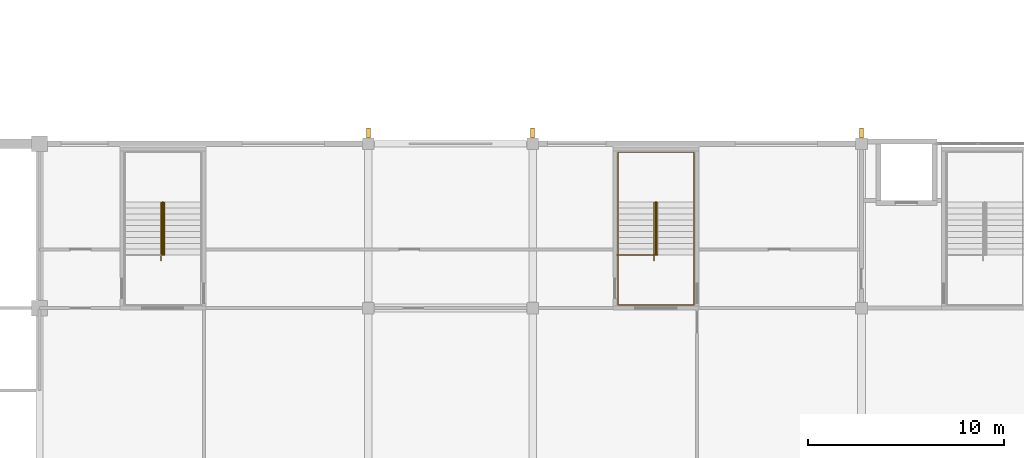
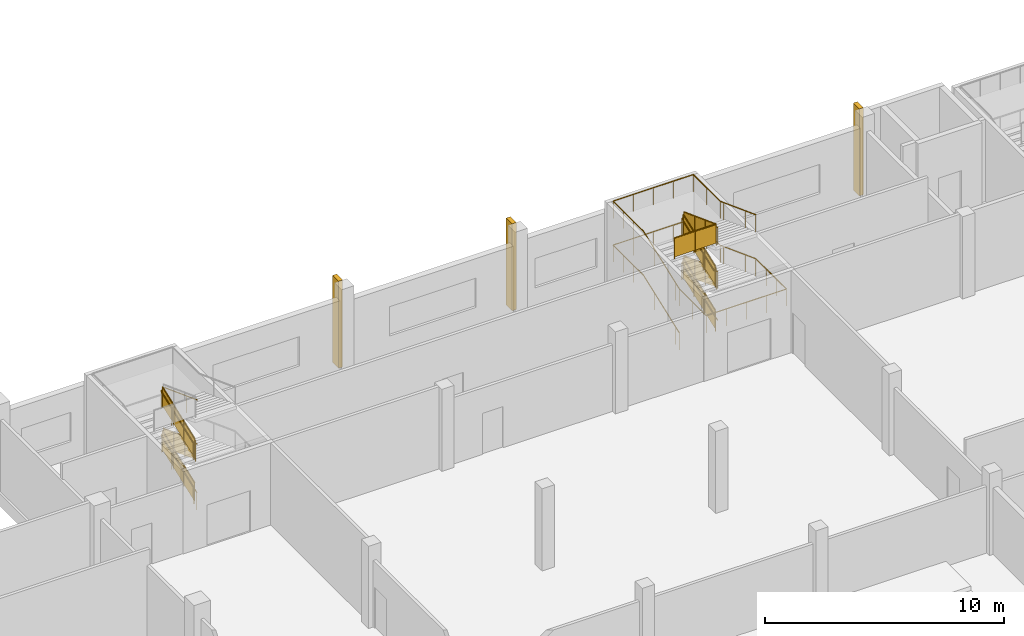
# One storey, part 49 of 56: 10 railings, 3 shading devices.
"""IFC4 building model written with IfcOpenShell, lengths in metres."""

import ifcopenshell
import ifcopenshell.guid

model = None  # the IFC model being written
_history = None  # IfcOwnerHistory: only IFC2X3 demands one
_inside = {}  # id of a spatial element -> (the spatial element, [elements in it])
_under = {}  # id of a project, library or spatial element -> (it, [spatial elements below it])
_declared = {}  # id of a project -> (the project, [libraries it declares])
_typed = {}  # id of a type object -> (the type object, [elements of that type])
_made_of = {}  # id of a material, layer set ... -> (it, [elements and type objects made of it])


def new_model(schema):
    """Start an empty IFC model of exactly this schema.

    Asked for "IFC4X3", IfcOpenShell would pick the latest addendum, in which some entities
    have other attributes; the version numbers below select the first issue.
    IFC2X3 requires an IfcOwnerHistory on every rooted entity: one is made here for all.
    """
    global model, _history
    if schema == "IFC4X3":
        model = ifcopenshell.file(schema_version=(4, 3, 0, 0))
    else:
        model = ifcopenshell.file(schema=schema)
    _inside.clear()
    _under.clear()
    _declared.clear()
    _typed.clear()
    _made_of.clear()
    _history = None
    if model.schema == "IFC2X3":
        org = make("IfcOrganization", Name="unknown")
        user = make(
            "IfcPersonAndOrganization",
            ThePerson=make("IfcPerson", FamilyName="unknown"),
            TheOrganization=org,
        )
        app = make(
            "IfcApplication",
            ApplicationDeveloper=org,
            Version="unknown",
            ApplicationFullName="unknown",
            ApplicationIdentifier="unknown",
        )
        _history = make(
            "IfcOwnerHistory",
            OwningUser=user,
            OwningApplication=app,
            ChangeAction="ADDED",
            CreationDate=0,
        )
    return model


def make(cls, **values):
    """One entity of the class cls with the attributes given. An attribute that is None is left unset."""
    return model.create_entity(
        cls, **{name: value for name, value in values.items() if value is not None}
    )


def rooted(cls, **values):
    """An entity with a GlobalId (a new one), such as an element, a storey or a relation."""
    return make(cls, GlobalId=ifcopenshell.guid.new(), OwnerHistory=_history, **values)


def si_unit(unit_type, name, prefix=None):
    """IfcSIUnit, for example si_unit("LENGTHUNIT", "METRE", prefix="MILLI")."""
    return make("IfcSIUnit", UnitType=unit_type, Prefix=prefix, Name=name)


def assignment(units):
    """IfcUnitAssignment: the units of a project."""
    return None if units is None else make("IfcUnitAssignment", Units=units)


def point(xyz):
    """IfcCartesianPoint."""
    return None if xyz is None else make("IfcCartesianPoint", Coordinates=xyz)


def direction(xyz):
    """IfcDirection."""
    return None if xyz is None else make("IfcDirection", DirectionRatios=xyz)


def frame(location, z_axis=None, x_axis=None):
    """IfcAxis2Placement3D, a coordinate frame: its origin and axes. An axis left out is left unset."""
    return make(
        "IfcAxis2Placement3D",
        Location=point(location),
        Axis=direction(z_axis),
        RefDirection=direction(x_axis),
    )


def frame_2d(location, x_axis=None):
    """IfcAxis2Placement2D, a coordinate frame in the plane: its origin and x axis."""
    return make(
        "IfcAxis2Placement2D", Location=point(location), RefDirection=direction(x_axis)
    )


def origin():
    """The frame at (0, 0, 0) with its axes left unset."""
    return frame((0.0, 0.0, 0.0))


def origin_2d():
    """The frame at (0, 0) in the plane with its x axis left unset."""
    return frame_2d((0.0, 0.0))


def place(relative_to, where):
    """IfcLocalPlacement: puts the frame where relative to a parent placement (None: the world)."""
    return make(
        "IfcLocalPlacement", PlacementRelTo=relative_to, RelativePlacement=where
    )


def context(
    kind, dimensions, precision=None, world=None, true_north=None, identifier=None
):
    """IfcGeometricRepresentationContext, for example the 3D "Model" context."""
    return make(
        "IfcGeometricRepresentationContext",
        ContextIdentifier=identifier,
        ContextType=kind,
        CoordinateSpaceDimension=dimensions,
        Precision=precision,
        WorldCoordinateSystem=world,
        TrueNorth=true_north,
    )


def subcontext(parent, identifier, kind, view, scale=None):
    """IfcGeometricRepresentationSubContext, for example "Body" below "Model"."""
    return make(
        "IfcGeometricRepresentationSubContext",
        ContextIdentifier=identifier,
        ContextType=kind,
        ParentContext=parent,
        TargetScale=scale,
        TargetView=view,
    )


def project(units=None, contexts=None):
    """IfcProject with its units and contexts."""
    return rooted(
        "IfcProject",
        Name="project",
        RepresentationContexts=contexts,
        UnitsInContext=assignment(units),
    )


def spatial(cls, under=None, at=None, **own):
    """A site, building, storey or space (cls), placed at a placement, below another one or the project."""
    s = rooted(cls, ObjectPlacement=at, **own)
    if under is not None:
        _under.setdefault(under.id(), (under, []))[1].append(s)
    return s


def polyline(points):
    """IfcPolyline through the points."""
    return make("IfcPolyline", Points=[point(p) for p in points])


def profile(cls, at=None, kind="AREA", **sizes):
    """A parametric profile (cls). Its sizes go by their IFC names, for example OverallWidth=200.0."""
    return make(cls, ProfileType=kind, Position=at, **sizes)


def rectangle(**sizes):
    """IfcRectangleProfileDef."""
    return profile("IfcRectangleProfileDef", **sizes)


def circle(**sizes):
    """IfcCircleProfileDef."""
    return profile("IfcCircleProfileDef", **sizes)


def outline(outer, holes=None, kind="AREA"):
    """IfcArbitraryClosedProfileDef: a profile drawn as a closed curve; with holes, ...WithVoids."""
    if holes is None:
        return make("IfcArbitraryClosedProfileDef", ProfileType=kind, OuterCurve=outer)
    return make(
        "IfcArbitraryProfileDefWithVoids",
        ProfileType=kind,
        OuterCurve=outer,
        InnerCurves=holes,
    )


def extrude(swept, where, along, depth):
    """IfcExtrudedAreaSolid: the profile swept, set in the frame where, extruded along a direction by depth."""
    return make(
        "IfcExtrudedAreaSolid",
        SweptArea=swept,
        Position=where,
        ExtrudedDirection=direction(along),
        Depth=depth,
    )


def shape(context_of_items, identifier, shape_type, items):
    """IfcShapeRepresentation: the items that make up one representation, for example the "Body"."""
    return make(
        "IfcShapeRepresentation",
        ContextOfItems=context_of_items,
        RepresentationIdentifier=identifier,
        RepresentationType=shape_type,
        Items=items,
    )


def material(Name=None, Category=None):
    """IfcMaterial."""
    return make("IfcMaterial", Name=Name, Category=Category)


def material_profile(
    of_material, cross_section, Name=None, Category=None, Priority=None
):
    """IfcMaterialProfile: a cross section and its material."""
    return make(
        "IfcMaterialProfile",
        Name=Name,
        Material=of_material,
        Profile=cross_section,
        Priority=Priority,
        Category=Category,
    )


def profile_set(profiles, Name=None, composite=None):
    """IfcMaterialProfileSet."""
    return make(
        "IfcMaterialProfileSet",
        Name=Name,
        MaterialProfiles=profiles,
        CompositeProfile=composite,
    )


def made_of(thing, what):
    """Note that an element or type object is made of a material, layer set ...; save() writes the relation."""
    if what is not None:
        _made_of.setdefault(what.id(), (what, []))[1].append(thing)
    return thing


def type_object(cls, material=None, **own):
    """A type object (cls), such as IfcWallType, which elements share."""
    return made_of(rooted(cls, **own), material)


def element(
    cls,
    number,
    at=None,
    inside=None,
    cuts=None,
    type_object=None,
    material=None,
    context=None,
    identifier="Body",
    shape_type=None,
    held_by="IfcProductDefinitionShape",
    body=None,
    shapes=None,
    **own,
):
    """One element of the class cls, such as IfcWall. Its Tag is "e" and its number.

    at: its placement. inside: the storey or other place that contains it. cuts: it is an
    opening in that element (IfcRelVoidsElement). A single representation is given by context,
    identifier, shape_type and body (its items); several are given by shapes. held_by: the class
    of the entity that holds the representations. save() writes the other relations.
    """
    e = rooted(cls, Tag="e%d" % number, ObjectPlacement=at, **own)
    if body is not None:
        shapes = [shape(context, identifier, shape_type, body)]
    if shapes is not None:
        e.Representation = make(held_by, Representations=shapes)
    if inside is not None:
        _inside.setdefault(inside.id(), (inside, []))[1].append(e)
    if cuts is not None:
        rooted(
            "IfcRelVoidsElement", RelatingBuildingElement=cuts, RelatedOpeningElement=e
        )
    if type_object is not None:
        _typed.setdefault(type_object.id(), (type_object, []))[1].append(e)
    return made_of(e, material)


def aggregate(whole, parts):
    """IfcRelAggregates: a whole, such as a stair, and the parts it consists of."""
    return rooted("IfcRelAggregates", RelatingObject=whole, RelatedObjects=parts)


def save(model, path):
    """Write the relations noted so far, then the file.

    IfcRelAggregates (storeys below a building ...), IfcRelContainedInSpatialStructure (elements
    in a storey), IfcRelDefinesByType, IfcRelAssociatesMaterial and IfcRelDeclares: one each for
    every whole, place, type object, material and project.
    """
    for whole, parts in _under.values():
        aggregate(whole, parts)
    for where, things in _inside.values():
        rooted(
            "IfcRelContainedInSpatialStructure",
            RelatedElements=things,
            RelatingStructure=where,
        )
    for kind, things in _typed.values():
        rooted("IfcRelDefinesByType", RelatedObjects=things, RelatingType=kind)
    for what, things in _made_of.values():
        rooted("IfcRelAssociatesMaterial", RelatedObjects=things, RelatingMaterial=what)
    for by, libraries in _declared.values():
        rooted("IfcRelDeclares", RelatingContext=by, RelatedDefinitions=libraries)
    model.write(path)


model = new_model("IFC4")

# Units and contexts
model_context = context("Model", 3, precision=1e-05, world=origin(), true_north=direction((0.0, 1.0)))
body_context = subcontext(model_context, "Body", "Model", "MODEL_VIEW")
ifc_project = project(units=[si_unit("LENGTHUNIT", "METRE"), si_unit("AREAUNIT", "SQUARE_METRE"), si_unit("VOLUMEUNIT", "CUBIC_METRE"), si_unit("PLANEANGLEUNIT", "RADIAN"), si_unit("MASSUNIT", "GRAM", prefix="KILO")], contexts=[model_context])

# Site, building, storey
site_placement = place(None, origin())
site = spatial("IfcSite", under=ifc_project, at=site_placement, CompositionType="ELEMENT")
building_placement = place(site_placement, origin())
building = spatial("IfcBuilding", under=site, at=building_placement, Name="Rulbaag Community and Learning Centre", CompositionType="ELEMENT")
storey_placement = place(building_placement, frame((0.0, 0.0, 9.89990234375)))
storey = spatial("IfcBuildingStorey", under=building, at=storey_placement, Name="L02", CompositionType="ELEMENT", Elevation=9.89990234375)

# Shading devices
ifc_material_1 = material(Name="Concrete M40", Category="concrete")
ifc_material_profile = material_profile(ifc_material_1, rectangle(XDim=0.199951171875, YDim=0.5, at=origin_2d()), Name="PC 200x500")
ifc_profile_set = profile_set([ifc_material_profile], Name="Concrete M40")
shading_device_type = type_object("IfcShadingDeviceType", Name="FIN-D", PredefinedType="JALOUSIE", material=ifc_profile_set)
for number, where, z_axis, x_axis, name in (
    (1, (100.800048828125, 50.949951171875, -0.25), (0.0, 0.0, 1.0), (1.0, 0.0, 0.0), "Precast fin"),
    (2, (109.199951171875, 50.949951171875, -0.25), (0.0, 0.0, 1.0), (1.0, 0.0, 0.0), "Precast fin"),
    (3, (126.0, 50.949951171875, -0.25), (0.0, 0.0, 1.0), (1.0, 0.0, 0.0), "Precast fin"),
):
    element("IfcShadingDevice", number, at=place(storey_placement, frame(where, z_axis=z_axis, x_axis=x_axis)), inside=storey, type_object=shading_device_type, Name=name, PredefinedType="JALOUSIE", context=body_context, shape_type="SweptSolid", body=[
        extrude(rectangle(XDim=0.199951171875, YDim=0.5, at=origin_2d()), origin(), (0.0, 0.0, 1.0), 4.4501953125),
    ])

# Railings
ifc_material_2 = material(Name="Galvanised mild steel", Category="steel")
railing_type_1 = type_object("IfcRailingType", Name="GR-1100 GUARD 1100", PredefinedType="GUARDRAIL", material=ifc_material_2)
railing_1_placement = place(storey_placement, frame((90.280029296875, 44.71240234375, 0.112548828125)))
element("IfcRailing", 4, at=railing_1_placement, inside=storey, type_object=railing_type_1, Name="Guard SH6 L02 G", PredefinedType="GUARDRAIL", context=body_context, shape_type="SweptSolid", body=[
    extrude(circle(Radius=0.02490234375, at=origin_2d()), frame((0.0, 0.0, 1.0751953125), z_axis=(0.0, 0.936343093598, 0.351086329941), x_axis=(-1.0, 0.0, 0.0)), (0.0, 0.0, 1.0), 2.8837890625),
    extrude(circle(Radius=0.02001953125, at=origin_2d()), origin(), (0.0, 0.0, 1.0), 1.050048828125),
    extrude(circle(Radius=0.02001953125, at=origin_2d()), frame((0.0, 0.900146484375, 0.33740234375)), (0.0, 0.0, 1.0), 1.050048828125),
    extrude(circle(Radius=0.02001953125, at=origin_2d()), frame((0.0, 1.800048828125, 0.675048828125)), (0.0, 0.0, 1.0), 1.050048828125),
    extrude(circle(Radius=0.02001953125, at=origin_2d()), frame((0.0, 2.7001953125, 1.012451171875)), (0.0, 0.0, 1.0), 1.050048828125),
    extrude(outline(polyline([(0.0, 0.0), (2.7001953125, 1.012451171875), (2.7001953125, 1.96240234375), (0.0, 0.949951171875), (0.0, 0.0)])), frame((-0.0048828125, 0.0, 0.10009765625), z_axis=(1.0, 0.0, 0.0), x_axis=(0.0, 1.0, 0.0)), (0.0, 0.0, 1.0), 0.010009765625),
])
railing_2_placement = place(storey_placement, frame((90.320068359375, 47.41259765625, 1.237548828125)))
element("IfcRailing", 5, at=railing_2_placement, inside=storey, type_object=railing_type_1, Name="Guard SH6 L02 G2", PredefinedType="GUARDRAIL", context=body_context, shape_type="SweptSolid", body=[
    extrude(circle(Radius=0.02490234375, at=origin_2d()), frame((0.0, 0.0, 1.0751953125), z_axis=(0.0, -0.936343093598, 0.351086329941), x_axis=(1.0, 0.0, 0.0)), (0.0, 0.0, 1.0), 2.8837890625),
    extrude(circle(Radius=0.02001953125, at=origin_2d()), origin(), (0.0, 0.0, 1.0), 1.050048828125),
    extrude(circle(Radius=0.02001953125, at=origin_2d()), frame((0.0, -0.900146484375, 0.33740234375)), (0.0, 0.0, 1.0), 1.050048828125),
    extrude(circle(Radius=0.02001953125, at=origin_2d()), frame((0.0, -1.800048828125, 0.675048828125)), (0.0, 0.0, 1.0), 1.050048828125),
    extrude(circle(Radius=0.02001953125, at=origin_2d()), frame((0.0, -2.7001953125, 1.012451171875)), (0.0, 0.0, 1.0), 1.050048828125),
    extrude(outline(polyline([(0.0, 0.0), (2.7001953125, 1.012451171875), (2.7001953125, 1.96240234375), (0.0, 0.949951171875), (0.0, 0.0)])), frame((0.0048828125, 0.0, 0.10009765625), z_axis=(-1.0, 0.0, 0.0), x_axis=(0.0, -1.0, 0.0)), (0.0, 0.0, 1.0), 0.010009765625),
])
for number, where, name in (
    (6, (90.280029296875, 44.71240234375, 2.362548828125), "Guard SH6 L02 G3"),
    (7, (115.47998046875, 44.71240234375, 0.112548828125), "Guard SH7 L02 G"),
):
    element("IfcRailing", number, at=place(storey_placement, frame(where)), inside=storey, type_object=railing_type_1, Name=name, PredefinedType="GUARDRAIL", context=body_context, shape_type="SweptSolid", body=[
        extrude(circle(Radius=0.02490234375, at=origin_2d()), frame((0.0, 0.0, 1.0751953125), z_axis=(0.0, 0.936343093598, 0.351086329941), x_axis=(-1.0, 0.0, 0.0)), (0.0, 0.0, 1.0), 2.8837890625),
        extrude(circle(Radius=0.02001953125, at=origin_2d()), origin(), (0.0, 0.0, 1.0), 1.050048828125),
        extrude(circle(Radius=0.02001953125, at=origin_2d()), frame((0.0, 0.900146484375, 0.33740234375)), (0.0, 0.0, 1.0), 1.050048828125),
        extrude(circle(Radius=0.02001953125, at=origin_2d()), frame((0.0, 1.800048828125, 0.675048828125)), (0.0, 0.0, 1.0), 1.050048828125),
        extrude(circle(Radius=0.02001953125, at=origin_2d()), frame((0.0, 2.7001953125, 1.012451171875)), (0.0, 0.0, 1.0), 1.050048828125),
        extrude(outline(polyline([(0.0, 0.0), (2.7001953125, 1.012451171875), (2.7001953125, 1.96240234375), (0.0, 0.949951171875), (0.0, 0.0)])), frame((-0.0048828125, 0.0, 0.10009765625), z_axis=(1.0, 0.0, 0.0), x_axis=(0.0, 1.0, 0.0)), (0.0, 0.0, 1.0), 0.010009765625),
    ])
railing_3_placement = place(storey_placement, frame((115.52001953125, 47.41259765625, 1.237548828125)))
element("IfcRailing", 8, at=railing_3_placement, inside=storey, type_object=railing_type_1, Name="Guard SH7 L02 G2", PredefinedType="GUARDRAIL", context=body_context, shape_type="SweptSolid", body=[
    extrude(circle(Radius=0.02490234375, at=origin_2d()), frame((0.0, 0.0, 1.0751953125), z_axis=(0.0, -0.936343093598, 0.351086329941), x_axis=(1.0, 0.0, 0.0)), (0.0, 0.0, 1.0), 2.8837890625),
    extrude(circle(Radius=0.02001953125, at=origin_2d()), origin(), (0.0, 0.0, 1.0), 1.050048828125),
    extrude(circle(Radius=0.02001953125, at=origin_2d()), frame((0.0, -0.900146484375, 0.33740234375)), (0.0, 0.0, 1.0), 1.050048828125),
    extrude(circle(Radius=0.02001953125, at=origin_2d()), frame((0.0, -1.800048828125, 0.675048828125)), (0.0, 0.0, 1.0), 1.050048828125),
    extrude(circle(Radius=0.02001953125, at=origin_2d()), frame((0.0, -2.7001953125, 1.012451171875)), (0.0, 0.0, 1.0), 1.050048828125),
    extrude(outline(polyline([(0.0, 0.0), (2.7001953125, 1.012451171875), (2.7001953125, 1.96240234375), (0.0, 0.949951171875), (0.0, 0.0)])), frame((0.0048828125, 0.0, 0.10009765625), z_axis=(-1.0, 0.0, 0.0), x_axis=(0.0, -1.0, 0.0)), (0.0, 0.0, 1.0), 0.010009765625),
])
railing_4_placement = place(storey_placement, frame((115.47998046875, 44.71240234375, 2.362548828125)))
element("IfcRailing", 9, at=railing_4_placement, inside=storey, type_object=railing_type_1, Name="Guard SH7 L02 G3", PredefinedType="GUARDRAIL", context=body_context, shape_type="SweptSolid", body=[
    extrude(circle(Radius=0.02490234375, at=origin_2d()), frame((0.0, 0.0, 1.0751953125), z_axis=(0.0, 0.936343093598, 0.351086329941), x_axis=(-1.0, 0.0, 0.0)), (0.0, 0.0, 1.0), 2.8837890625),
    extrude(circle(Radius=0.02001953125, at=origin_2d()), origin(), (0.0, 0.0, 1.0), 1.050048828125),
    extrude(circle(Radius=0.02001953125, at=origin_2d()), frame((0.0, 0.900146484375, 0.33740234375)), (0.0, 0.0, 1.0), 1.050048828125),
    extrude(circle(Radius=0.02001953125, at=origin_2d()), frame((0.0, 1.800048828125, 0.675048828125)), (0.0, 0.0, 1.0), 1.050048828125),
    extrude(circle(Radius=0.02001953125, at=origin_2d()), frame((0.0, 2.7001953125, 1.012451171875)), (0.0, 0.0, 1.0), 1.050048828125),
    extrude(outline(polyline([(0.0, 0.0), (2.7001953125, 1.012451171875), (2.7001953125, 1.96240234375), (0.0, 0.949951171875), (0.0, 0.0)])), frame((-0.0048828125, 0.0, 0.10009765625), z_axis=(1.0, 0.0, 0.0), x_axis=(0.0, 1.0, 0.0)), (0.0, 0.0, 1.0), 0.010009765625),
])
railing_5_placement = place(storey_placement, frame((115.52001953125, 47.41259765625, 3.487548828125)))
element("IfcRailing", 10, at=railing_5_placement, inside=storey, type_object=railing_type_1, Name="Guard SH7 L02 G4", PredefinedType="GUARDRAIL", context=body_context, shape_type="SweptSolid", body=[
    extrude(circle(Radius=0.02490234375, at=origin_2d()), frame((0.0, 0.0, 1.0751953125), z_axis=(0.0, -0.936343093598, 0.351086329941), x_axis=(1.0, 0.0, 0.0)), (0.0, 0.0, 1.0), 2.8837890625),
    extrude(circle(Radius=0.02490234375, at=origin_2d()), frame((0.0, -2.7001953125, 2.08740234375), z_axis=(-1.0, 0.0, 0.0), x_axis=(0.0, -1.0, 0.0)), (0.0, 0.0, 1.0), 2.02001953125),
    extrude(circle(Radius=0.02001953125, at=origin_2d()), origin(), (0.0, 0.0, 1.0), 1.050048828125),
    extrude(circle(Radius=0.02001953125, at=origin_2d()), frame((0.0, -0.900146484375, 0.33740234375)), (0.0, 0.0, 1.0), 1.050048828125),
    extrude(circle(Radius=0.02001953125, at=origin_2d()), frame((0.0, -1.800048828125, 0.675048828125)), (0.0, 0.0, 1.0), 1.050048828125),
    extrude(circle(Radius=0.02001953125, at=origin_2d()), frame((0.0, -2.7001953125, 1.012451171875)), (0.0, 0.0, 1.0), 1.050048828125),
    extrude(circle(Radius=0.02001953125, at=origin_2d()), frame((-1.010009765625, -2.7001953125, 1.012451171875)), (0.0, 0.0, 1.0), 1.050048828125),
    extrude(circle(Radius=0.02001953125, at=origin_2d()), frame((-2.02001953125, -2.7001953125, 1.012451171875)), (0.0, 0.0, 1.0), 1.050048828125),
    extrude(outline(polyline([(0.0, 0.0), (2.7001953125, 1.012451171875), (2.7001953125, 1.96240234375), (0.0, 0.949951171875), (0.0, 0.0)])), frame((0.0048828125, 0.0, 0.10009765625), z_axis=(-1.0, 0.0, 0.0), x_axis=(0.0, -1.0, 0.0)), (0.0, 0.0, 1.0), 0.010009765625),
    extrude(outline(polyline([(0.0, 0.0), (2.02001953125, 0.0), (2.02001953125, 0.949951171875), (0.0, 0.949951171875), (0.0, 0.0)])), frame((0.0, -2.705078125, 1.112548828125), z_axis=(0.0, 1.0, 0.0), x_axis=(-1.0, 0.0, 0.0)), (0.0, 0.0, 1.0), 0.010009765625),
])
ifc_material_3 = material(Name="Stainless steel grade 316", Category="steel")
railing_type_2 = type_object("IfcRailingType", Name="HR-900 HANDRAIL 900", PredefinedType="HANDRAIL", material=ifc_material_3)
railing_6_placement = place(storey_placement, frame((90.2099609375, 44.41259765625, 0.0)))
element("IfcRailing", 11, at=railing_6_placement, inside=storey, type_object=railing_type_2, Name="Handrail SH6 L02 I", PredefinedType="HANDRAIL", context=body_context, shape_type="SweptSolid", body=[
    extrude(circle(Radius=0.024169921875, at=origin_2d()), frame((0.0, 0.0, 0.875732421875), z_axis=(0.0, 0.936203795034, 0.351457613608), x_axis=(-1.0, 0.0, 0.0)), (0.0, 0.0, 1.0), 0.3203125),
    extrude(circle(Radius=0.024169921875, at=origin_2d()), frame((0.0, 0.2998046875, 0.98828125), z_axis=(0.0, 0.936343093598, 0.351086329941), x_axis=(-1.0, 0.0, 0.0)), (0.0, 0.0, 1.0), 2.8837890625),
    extrude(circle(Radius=0.024169921875, at=origin_2d()), frame((0.0, 3.0, 2.000732421875), z_axis=(0.847804368873, 0.0, 0.530309109973), x_axis=(0.0, 1.0, 0.0)), (0.0, 0.0, 1.0), 0.212158203125),
    extrude(circle(Radius=0.024169921875, at=origin_2d()), frame((0.179931640625, 3.0, 2.11328125), z_axis=(0.0, -0.936343093598, 0.351086329941), x_axis=(1.0, 0.0, 0.0)), (0.0, 0.0, 1.0), 2.8837890625),
    extrude(circle(Radius=0.024169921875, at=origin_2d()), frame((0.179931640625, 0.2998046875, 3.125732421875), z_axis=(-0.847804368873, 0.0, 0.530309109973), x_axis=(0.0, -1.0, 0.0)), (0.0, 0.0, 1.0), 0.212158203125),
    extrude(circle(Radius=0.024169921875, at=origin_2d()), frame((0.0, 0.2998046875, 3.23828125), z_axis=(0.0, 0.936343093598, 0.351086329941), x_axis=(-1.0, 0.0, 0.0)), (0.0, 0.0, 1.0), 2.8837890625),
    extrude(circle(Radius=0.024169921875, at=origin_2d()), frame((0.0, 3.0, 4.250732421875), z_axis=(0.847804368873, 0.0, 0.530309109973), x_axis=(0.0, 1.0, 0.0)), (0.0, 0.0, 1.0), 0.212158203125),
    extrude(circle(Radius=0.024169921875, at=origin_2d()), frame((0.179931640625, 3.0, 4.36328125), z_axis=(0.0, -0.936343093598, 0.351086329941), x_axis=(1.0, 0.0, 0.0)), (0.0, 0.0, 1.0), 2.8837890625),
    extrude(circle(Radius=0.008056640625, at=origin_2d()), origin(), (0.0, 0.0, 1.0), 0.8515625),
    extrude(circle(Radius=0.008056640625, at=origin_2d()), frame((0.0, 0.2998046875, 0.112548828125)), (0.0, 0.0, 1.0), 0.8515625),
    extrude(circle(Radius=0.008056640625, at=origin_2d()), frame((0.0, 1.199951171875, 0.449951171875)), (0.0, 0.0, 1.0), 0.8515625),
    extrude(circle(Radius=0.008056640625, at=origin_2d()), frame((0.0, 2.099853515625, 0.78759765625)), (0.0, 0.0, 1.0), 0.8515625),
    extrude(circle(Radius=0.008056640625, at=origin_2d()), frame((0.0, 3.0, 1.125)), (0.0, 0.0, 1.0), 0.8515625),
    extrude(circle(Radius=0.008056640625, at=origin_2d()), frame((0.179931640625, 3.0, 1.237548828125)), (0.0, 0.0, 1.0), 0.8515625),
    extrude(circle(Radius=0.008056640625, at=origin_2d()), frame((0.179931640625, 2.099853515625, 1.574951171875)), (0.0, 0.0, 1.0), 0.8515625),
    extrude(circle(Radius=0.008056640625, at=origin_2d()), frame((0.179931640625, 1.199951171875, 1.91259765625)), (0.0, 0.0, 1.0), 0.8515625),
    extrude(circle(Radius=0.008056640625, at=origin_2d()), frame((0.179931640625, 0.2998046875, 2.25)), (0.0, 0.0, 1.0), 0.8515625),
    extrude(circle(Radius=0.008056640625, at=origin_2d()), frame((0.0, 0.2998046875, 2.362548828125)), (0.0, 0.0, 1.0), 0.8515625),
    extrude(circle(Radius=0.008056640625, at=origin_2d()), frame((0.0, 1.199951171875, 2.699951171875)), (0.0, 0.0, 1.0), 0.8515625),
    extrude(circle(Radius=0.008056640625, at=origin_2d()), frame((0.0, 2.099853515625, 3.03759765625)), (0.0, 0.0, 1.0), 0.8515625),
    extrude(circle(Radius=0.008056640625, at=origin_2d()), frame((0.0, 3.0, 3.375)), (0.0, 0.0, 1.0), 0.8515625),
    extrude(circle(Radius=0.008056640625, at=origin_2d()), frame((0.179931640625, 3.0, 3.487548828125)), (0.0, 0.0, 1.0), 0.8515625),
    extrude(circle(Radius=0.008056640625, at=origin_2d()), frame((0.179931640625, 2.099853515625, 3.824951171875)), (0.0, 0.0, 1.0), 0.8515625),
    extrude(circle(Radius=0.008056640625, at=origin_2d()), frame((0.179931640625, 1.199951171875, 4.16259765625)), (0.0, 0.0, 1.0), 0.8515625),
    extrude(circle(Radius=0.008056640625, at=origin_2d()), frame((0.179931640625, 0.2998046875, 4.5)), (0.0, 0.0, 1.0), 0.8515625),
])
railing_7_placement = place(storey_placement, frame((113.56005859375, 44.41259765625, 0.0)))
element("IfcRailing", 12, at=railing_7_placement, inside=storey, type_object=railing_type_2, Name="Handrail SH7 L02 O", PredefinedType="HANDRAIL", context=body_context, shape_type="SweptSolid", body=[
    extrude(circle(Radius=0.024169921875, at=origin_2d()), frame((0.0, 0.0, 0.875732421875), z_axis=(0.0, 0.936203795034, 0.351457613608), x_axis=(-1.0, 0.0, 0.0)), (0.0, 0.0, 1.0), 0.3203125),
    extrude(circle(Radius=0.024169921875, at=origin_2d()), frame((0.0, 0.2998046875, 0.98828125), z_axis=(0.0, 0.936343093598, 0.351086329941), x_axis=(-1.0, 0.0, 0.0)), (0.0, 0.0, 1.0), 2.8837890625),
    extrude(circle(Radius=0.024169921875, at=origin_2d()), frame((0.0, 3.0, 2.000732421875), z_axis=(0.0, 1.0, 0.0), x_axis=(-1.0, 0.0, 0.0)), (0.0, 0.0, 1.0), 2.552490234375),
    extrude(circle(Radius=0.024169921875, at=origin_2d()), frame((0.0, 5.552490234375, 2.000732421875), z_axis=(1.0, 0.0, 0.0), x_axis=(0.0, 1.0, 0.0)), (0.0, 0.0, 1.0), 3.8798828125),
    extrude(circle(Radius=0.024169921875, at=origin_2d()), frame((3.8798828125, 5.552490234375, 2.000732421875), z_axis=(0.0, -1.0, 0.0), x_axis=(1.0, 0.0, 0.0)), (0.0, 0.0, 1.0), 2.252685546875),
    extrude(circle(Radius=0.024169921875, at=origin_2d()), frame((3.8798828125, 3.2998046875, 2.000732421875), z_axis=(0.0, -0.936203795034, 0.351457613608), x_axis=(1.0, 0.0, 0.0)), (0.0, 0.0, 1.0), 0.3203125),
    extrude(circle(Radius=0.024169921875, at=origin_2d()), frame((3.8798828125, 3.0, 2.11328125), z_axis=(0.0, -0.936343093598, 0.351086329941), x_axis=(1.0, 0.0, 0.0)), (0.0, 0.0, 1.0), 2.8837890625),
    extrude(circle(Radius=0.024169921875, at=origin_2d()), frame((3.8798828125, 0.2998046875, 3.125732421875), z_axis=(0.0, -1.0, 0.0), x_axis=(1.0, 0.0, 0.0)), (0.0, 0.0, 1.0), 2.552490234375),
    extrude(circle(Radius=0.024169921875, at=origin_2d()), frame((3.8798828125, -2.252685546875, 3.125732421875), z_axis=(-1.0, 0.0, 0.0), x_axis=(0.0, -1.0, 0.0)), (0.0, 0.0, 1.0), 3.8798828125),
    extrude(circle(Radius=0.024169921875, at=origin_2d()), frame((0.0, -2.252685546875, 3.125732421875), z_axis=(0.0, 1.0, 0.0), x_axis=(-1.0, 0.0, 0.0)), (0.0, 0.0, 1.0), 2.252685546875),
    extrude(circle(Radius=0.024169921875, at=origin_2d()), frame((0.0, 0.0, 3.125732421875), z_axis=(0.0, 0.936203795034, 0.351457613608), x_axis=(-1.0, 0.0, 0.0)), (0.0, 0.0, 1.0), 0.3203125),
    extrude(circle(Radius=0.024169921875, at=origin_2d()), frame((0.0, 0.2998046875, 3.23828125), z_axis=(0.0, 0.936343093598, 0.351086329941), x_axis=(-1.0, 0.0, 0.0)), (0.0, 0.0, 1.0), 2.8837890625),
    extrude(circle(Radius=0.024169921875, at=origin_2d()), frame((0.0, 3.0, 4.250732421875), z_axis=(0.0, 1.0, 0.0), x_axis=(-1.0, 0.0, 0.0)), (0.0, 0.0, 1.0), 2.552490234375),
    extrude(circle(Radius=0.024169921875, at=origin_2d()), frame((0.0, 5.552490234375, 4.250732421875), z_axis=(1.0, 0.0, 0.0), x_axis=(0.0, 1.0, 0.0)), (0.0, 0.0, 1.0), 3.8798828125),
    extrude(circle(Radius=0.024169921875, at=origin_2d()), frame((3.8798828125, 5.552490234375, 4.250732421875), z_axis=(0.0, -1.0, 0.0), x_axis=(1.0, 0.0, 0.0)), (0.0, 0.0, 1.0), 2.252685546875),
    extrude(circle(Radius=0.024169921875, at=origin_2d()), frame((3.8798828125, 3.2998046875, 4.250732421875), z_axis=(0.0, -0.936203795034, 0.351457613608), x_axis=(1.0, 0.0, 0.0)), (0.0, 0.0, 1.0), 0.3203125),
    extrude(circle(Radius=0.024169921875, at=origin_2d()), frame((3.8798828125, 3.0, 4.36328125), z_axis=(0.0, -0.936343093598, 0.351086329941), x_axis=(1.0, 0.0, 0.0)), (0.0, 0.0, 1.0), 2.8837890625),
    extrude(circle(Radius=0.008056640625, at=origin_2d()), origin(), (0.0, 0.0, 1.0), 0.8515625),
    extrude(circle(Radius=0.008056640625, at=origin_2d()), frame((0.0, 0.2998046875, 0.112548828125)), (0.0, 0.0, 1.0), 0.8515625),
    extrude(circle(Radius=0.008056640625, at=origin_2d()), frame((0.0, 1.199951171875, 0.449951171875)), (0.0, 0.0, 1.0), 0.8515625),
    extrude(circle(Radius=0.008056640625, at=origin_2d()), frame((0.0, 2.099853515625, 0.78759765625)), (0.0, 0.0, 1.0), 0.8515625),
    extrude(circle(Radius=0.008056640625, at=origin_2d()), frame((0.0, 3.0, 1.125)), (0.0, 0.0, 1.0), 0.8515625),
    extrude(circle(Radius=0.008056640625, at=origin_2d()), frame((0.0, 3.850830078125, 1.125)), (0.0, 0.0, 1.0), 0.8515625),
    extrude(circle(Radius=0.008056640625, at=origin_2d()), frame((0.0, 4.70166015625, 1.125)), (0.0, 0.0, 1.0), 0.8515625),
    extrude(circle(Radius=0.008056640625, at=origin_2d()), frame((0.0, 5.552490234375, 1.125)), (0.0, 0.0, 1.0), 0.8515625),
    extrude(circle(Radius=0.008056640625, at=origin_2d()), frame((0.969970703125, 5.552490234375, 1.125)), (0.0, 0.0, 1.0), 0.8515625),
    extrude(circle(Radius=0.008056640625, at=origin_2d()), frame((1.93994140625, 5.552490234375, 1.125)), (0.0, 0.0, 1.0), 0.8515625),
    extrude(circle(Radius=0.008056640625, at=origin_2d()), frame((2.909912109375, 5.552490234375, 1.125)), (0.0, 0.0, 1.0), 0.8515625),
    extrude(circle(Radius=0.008056640625, at=origin_2d()), frame((3.8798828125, 5.552490234375, 1.125)), (0.0, 0.0, 1.0), 0.8515625),
    extrude(circle(Radius=0.008056640625, at=origin_2d()), frame((3.8798828125, 4.42626953125, 1.125)), (0.0, 0.0, 1.0), 0.8515625),
    extrude(circle(Radius=0.008056640625, at=origin_2d()), frame((3.8798828125, 3.2998046875, 1.125)), (0.0, 0.0, 1.0), 0.8515625),
    extrude(circle(Radius=0.008056640625, at=origin_2d()), frame((3.8798828125, 3.0, 1.237548828125)), (0.0, 0.0, 1.0), 0.8515625),
    extrude(circle(Radius=0.008056640625, at=origin_2d()), frame((3.8798828125, 2.099853515625, 1.574951171875)), (0.0, 0.0, 1.0), 0.8515625),
    extrude(circle(Radius=0.008056640625, at=origin_2d()), frame((3.8798828125, 1.199951171875, 1.91259765625)), (0.0, 0.0, 1.0), 0.8515625),
    extrude(circle(Radius=0.008056640625, at=origin_2d()), frame((3.8798828125, 0.2998046875, 2.25)), (0.0, 0.0, 1.0), 0.8515625),
    extrude(circle(Radius=0.008056640625, at=origin_2d()), frame((3.8798828125, -0.551025390625, 2.25)), (0.0, 0.0, 1.0), 0.8515625),
    extrude(circle(Radius=0.008056640625, at=origin_2d()), frame((3.8798828125, -1.40185546875, 2.25)), (0.0, 0.0, 1.0), 0.8515625),
    extrude(circle(Radius=0.008056640625, at=origin_2d()), frame((3.8798828125, -2.252685546875, 2.25)), (0.0, 0.0, 1.0), 0.8515625),
    extrude(circle(Radius=0.008056640625, at=origin_2d()), frame((2.909912109375, -2.252685546875, 2.25)), (0.0, 0.0, 1.0), 0.8515625),
    extrude(circle(Radius=0.008056640625, at=origin_2d()), frame((1.93994140625, -2.252685546875, 2.25)), (0.0, 0.0, 1.0), 0.8515625),
    extrude(circle(Radius=0.008056640625, at=origin_2d()), frame((0.969970703125, -2.252685546875, 2.25)), (0.0, 0.0, 1.0), 0.8515625),
    extrude(circle(Radius=0.008056640625, at=origin_2d()), frame((0.0, -2.252685546875, 2.25)), (0.0, 0.0, 1.0), 0.8515625),
    extrude(circle(Radius=0.008056640625, at=origin_2d()), frame((0.0, -1.12646484375, 2.25)), (0.0, 0.0, 1.0), 0.8515625),
    extrude(circle(Radius=0.008056640625, at=origin_2d()), frame((0.0, 0.0, 2.25)), (0.0, 0.0, 1.0), 0.8515625),
    extrude(circle(Radius=0.008056640625, at=origin_2d()), frame((0.0, 0.2998046875, 2.362548828125)), (0.0, 0.0, 1.0), 0.8515625),
    extrude(circle(Radius=0.008056640625, at=origin_2d()), frame((0.0, 1.199951171875, 2.699951171875)), (0.0, 0.0, 1.0), 0.8515625),
    extrude(circle(Radius=0.008056640625, at=origin_2d()), frame((0.0, 2.099853515625, 3.03759765625)), (0.0, 0.0, 1.0), 0.8515625),
    extrude(circle(Radius=0.008056640625, at=origin_2d()), frame((0.0, 3.0, 3.375)), (0.0, 0.0, 1.0), 0.8515625),
    extrude(circle(Radius=0.008056640625, at=origin_2d()), frame((0.0, 3.850830078125, 3.375)), (0.0, 0.0, 1.0), 0.8515625),
    extrude(circle(Radius=0.008056640625, at=origin_2d()), frame((0.0, 4.70166015625, 3.375)), (0.0, 0.0, 1.0), 0.8515625),
    extrude(circle(Radius=0.008056640625, at=origin_2d()), frame((0.0, 5.552490234375, 3.375)), (0.0, 0.0, 1.0), 0.8515625),
    extrude(circle(Radius=0.008056640625, at=origin_2d()), frame((0.969970703125, 5.552490234375, 3.375)), (0.0, 0.0, 1.0), 0.8515625),
    extrude(circle(Radius=0.008056640625, at=origin_2d()), frame((1.93994140625, 5.552490234375, 3.375)), (0.0, 0.0, 1.0), 0.8515625),
    extrude(circle(Radius=0.008056640625, at=origin_2d()), frame((2.909912109375, 5.552490234375, 3.375)), (0.0, 0.0, 1.0), 0.8515625),
    extrude(circle(Radius=0.008056640625, at=origin_2d()), frame((3.8798828125, 5.552490234375, 3.375)), (0.0, 0.0, 1.0), 0.8515625),
    extrude(circle(Radius=0.008056640625, at=origin_2d()), frame((3.8798828125, 4.42626953125, 3.375)), (0.0, 0.0, 1.0), 0.8515625),
    extrude(circle(Radius=0.008056640625, at=origin_2d()), frame((3.8798828125, 3.2998046875, 3.375)), (0.0, 0.0, 1.0), 0.8515625),
    extrude(circle(Radius=0.008056640625, at=origin_2d()), frame((3.8798828125, 3.0, 3.487548828125)), (0.0, 0.0, 1.0), 0.8515625),
    extrude(circle(Radius=0.008056640625, at=origin_2d()), frame((3.8798828125, 2.099853515625, 3.824951171875)), (0.0, 0.0, 1.0), 0.8515625),
    extrude(circle(Radius=0.008056640625, at=origin_2d()), frame((3.8798828125, 1.199951171875, 4.16259765625)), (0.0, 0.0, 1.0), 0.8515625),
    extrude(circle(Radius=0.008056640625, at=origin_2d()), frame((3.8798828125, 0.2998046875, 4.5)), (0.0, 0.0, 1.0), 0.8515625),
])
railing_8_placement = place(storey_placement, frame((115.409912109375, 44.41259765625, 0.0)))
element("IfcRailing", 13, at=railing_8_placement, inside=storey, type_object=railing_type_2, Name="Handrail SH7 L02 I", PredefinedType="HANDRAIL", context=body_context, shape_type="SweptSolid", body=[
    extrude(circle(Radius=0.024169921875, at=origin_2d()), frame((0.0, 0.0, 0.875732421875), z_axis=(0.0, 0.936203795034, 0.351457613608), x_axis=(-1.0, 0.0, 0.0)), (0.0, 0.0, 1.0), 0.3203125),
    extrude(circle(Radius=0.024169921875, at=origin_2d()), frame((0.0, 0.2998046875, 0.98828125), z_axis=(0.0, 0.936343093598, 0.351086329941), x_axis=(-1.0, 0.0, 0.0)), (0.0, 0.0, 1.0), 2.8837890625),
    extrude(circle(Radius=0.024169921875, at=origin_2d()), frame((0.0, 3.0, 2.000732421875), z_axis=(0.848127405144, 0.0, 0.529792322183), x_axis=(0.0, 1.0, 0.0)), (0.0, 0.0, 1.0), 0.21240234375),
    extrude(circle(Radius=0.024169921875, at=origin_2d()), frame((0.18017578125, 3.0, 2.11328125), z_axis=(0.0, -0.936343093598, 0.351086329941), x_axis=(1.0, 0.0, 0.0)), (0.0, 0.0, 1.0), 2.8837890625),
    extrude(circle(Radius=0.024169921875, at=origin_2d()), frame((0.18017578125, 0.2998046875, 3.125732421875), z_axis=(-0.848127405144, 0.0, 0.529792322183), x_axis=(0.0, -1.0, 0.0)), (0.0, 0.0, 1.0), 0.21240234375),
    extrude(circle(Radius=0.024169921875, at=origin_2d()), frame((0.0, 0.2998046875, 3.23828125), z_axis=(0.0, 0.936343093598, 0.351086329941), x_axis=(-1.0, 0.0, 0.0)), (0.0, 0.0, 1.0), 2.8837890625),
    extrude(circle(Radius=0.024169921875, at=origin_2d()), frame((0.0, 3.0, 4.250732421875), z_axis=(0.848127405144, 0.0, 0.529792322183), x_axis=(0.0, 1.0, 0.0)), (0.0, 0.0, 1.0), 0.21240234375),
    extrude(circle(Radius=0.024169921875, at=origin_2d()), frame((0.18017578125, 3.0, 4.36328125), z_axis=(0.0, -0.936343093598, 0.351086329941), x_axis=(1.0, 0.0, 0.0)), (0.0, 0.0, 1.0), 2.8837890625),
    extrude(circle(Radius=0.008056640625, at=origin_2d()), origin(), (0.0, 0.0, 1.0), 0.8515625),
    extrude(circle(Radius=0.008056640625, at=origin_2d()), frame((0.0, 0.2998046875, 0.112548828125)), (0.0, 0.0, 1.0), 0.8515625),
    extrude(circle(Radius=0.008056640625, at=origin_2d()), frame((0.0, 1.199951171875, 0.449951171875)), (0.0, 0.0, 1.0), 0.8515625),
    extrude(circle(Radius=0.008056640625, at=origin_2d()), frame((0.0, 2.099853515625, 0.78759765625)), (0.0, 0.0, 1.0), 0.8515625),
    extrude(circle(Radius=0.008056640625, at=origin_2d()), frame((0.0, 3.0, 1.125)), (0.0, 0.0, 1.0), 0.8515625),
    extrude(circle(Radius=0.008056640625, at=origin_2d()), frame((0.18017578125, 3.0, 1.237548828125)), (0.0, 0.0, 1.0), 0.8515625),
    extrude(circle(Radius=0.008056640625, at=origin_2d()), frame((0.18017578125, 2.099853515625, 1.574951171875)), (0.0, 0.0, 1.0), 0.8515625),
    extrude(circle(Radius=0.008056640625, at=origin_2d()), frame((0.18017578125, 1.199951171875, 1.91259765625)), (0.0, 0.0, 1.0), 0.8515625),
    extrude(circle(Radius=0.008056640625, at=origin_2d()), frame((0.18017578125, 0.2998046875, 2.25)), (0.0, 0.0, 1.0), 0.8515625),
    extrude(circle(Radius=0.008056640625, at=origin_2d()), frame((0.0, 0.2998046875, 2.362548828125)), (0.0, 0.0, 1.0), 0.8515625),
    extrude(circle(Radius=0.008056640625, at=origin_2d()), frame((0.0, 1.199951171875, 2.699951171875)), (0.0, 0.0, 1.0), 0.8515625),
    extrude(circle(Radius=0.008056640625, at=origin_2d()), frame((0.0, 2.099853515625, 3.03759765625)), (0.0, 0.0, 1.0), 0.8515625),
    extrude(circle(Radius=0.008056640625, at=origin_2d()), frame((0.0, 3.0, 3.375)), (0.0, 0.0, 1.0), 0.8515625),
    extrude(circle(Radius=0.008056640625, at=origin_2d()), frame((0.18017578125, 3.0, 3.487548828125)), (0.0, 0.0, 1.0), 0.8515625),
    extrude(circle(Radius=0.008056640625, at=origin_2d()), frame((0.18017578125, 2.099853515625, 3.824951171875)), (0.0, 0.0, 1.0), 0.8515625),
    extrude(circle(Radius=0.008056640625, at=origin_2d()), frame((0.18017578125, 1.199951171875, 4.16259765625)), (0.0, 0.0, 1.0), 0.8515625),
    extrude(circle(Radius=0.008056640625, at=origin_2d()), frame((0.18017578125, 0.2998046875, 4.5)), (0.0, 0.0, 1.0), 0.8515625),
])

save(model, "model.ifc")
